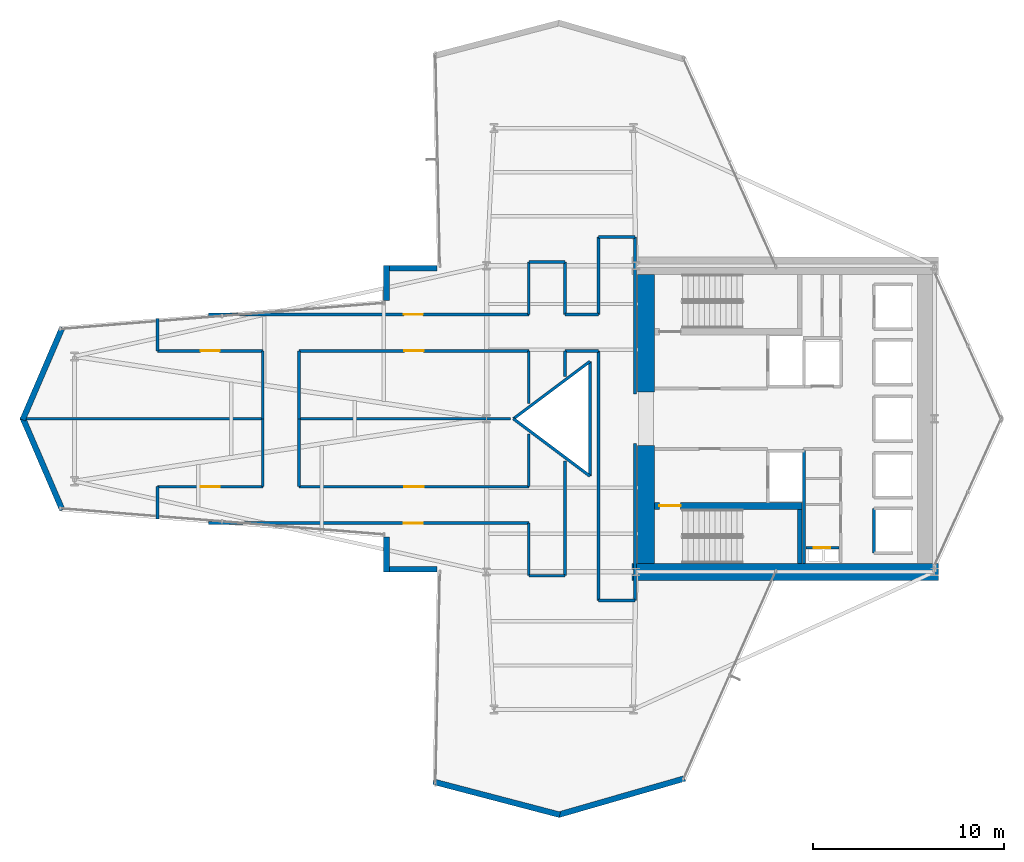
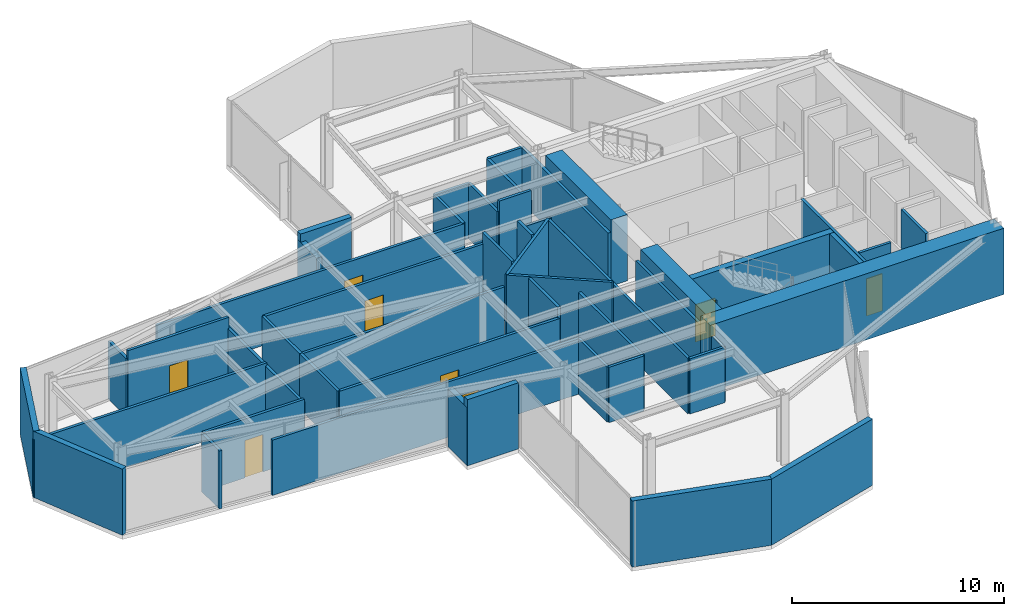
# One storey, part 20 of 23: 50 walls, 8 doors, 8 openings.
"""IFC4 building model written with IfcOpenShell, lengths in metres."""

from ifc_helpers import new_model, si_unit, direction, frame, frame_2d, origin, place, context, subcontext, project, spatial, rectangle, extrude, material, layer, layer_set, type_object, element, fill, save


model = new_model("IFC4")

# Units and contexts
model_context = context("Model", 3, precision=1e-05, world=origin(), true_north=direction((0.0, 1.0)))
body_context = subcontext(model_context, "Body", "Model", "MODEL_VIEW")
ifc_project = project(units=[si_unit("LENGTHUNIT", "METRE"), si_unit("AREAUNIT", "SQUARE_METRE"), si_unit("VOLUMEUNIT", "CUBIC_METRE"), si_unit("PLANEANGLEUNIT", "RADIAN"), si_unit("MASSUNIT", "GRAM", prefix="KILO")], contexts=[model_context])

# Site, building, storey
site_placement = place(None, origin())
site = spatial("IfcSite", under=ifc_project, at=site_placement, CompositionType="ELEMENT")
building_placement = place(site_placement, origin())
building = spatial("IfcBuilding", under=site, at=building_placement, Name="Veymaron Broadcast Tower", CompositionType="ELEMENT")
storey_placement = place(building_placement, frame((0.0, 0.0, 94.5)))
storey = spatial("IfcBuildingStorey", under=building, at=storey_placement, Name="L21", CompositionType="ELEMENT", Elevation=94.5)

# Walls
ifc_material_1 = material(Name="Precast concrete C40/50 with mineral-wool insulation", Category="concrete")
ifc_layer_1 = layer(ifc_material_1, 0.300048828125)
ifc_layer_set_1 = layer_set([ifc_layer_1], Name="Precast concrete C40/50 with mineral-wool insulation")
wall_type_1 = type_object("IfcWallType", Name="WALL-EXT-300", PredefinedType="STANDARD", material=ifc_layer_set_1)
wall_1_placement = place(storey_placement, frame((28.615478515625, 31.860107421875, 0.0), z_axis=(0.0, 0.0, 1.0), x_axis=(-1.0, 0.0, 0.0)))
element("IfcWall", 1, at=wall_1_placement, inside=storey, type_object=wall_type_1, Name="L21 notched corner facade pier 9-1", PredefinedType="STANDARD", context=body_context, shape_type="SweptSolid", body=[
    extrude(rectangle(XDim=2.783447265625, YDim=0.300048828125, at=frame_2d((1.3916015625, 0.0))), origin(), (0.0, 0.0, 1.0), 3.81005859375),
])
wall_2_placement = place(storey_placement, frame((25.971923828125, 32.0, 0.0), z_axis=(0.0, 0.0, 1.0), x_axis=(0.0, -1.0, 0.0)))
element("IfcWall", 2, at=wall_2_placement, inside=storey, type_object=wall_type_1, Name="L21 notched corner facade pier 10-1", PredefinedType="STANDARD", context=body_context, shape_type="SweptSolid", body=[
    extrude(rectangle(XDim=1.81201171875, YDim=0.300048828125, at=frame_2d((0.906005859375, 0.0))), origin(), (0.0, 0.0, 1.0), 3.337890625),
])
for number, where, z_axis, x_axis, name in (
    (3, (9.028564453125, 28.77001953125, 0.0), (0.0, 0.0, 1.0), (-0.395186600656, -0.918600865807, 0.0), "L21 notched corner facade pier 12-1"),
    (4, (6.95263671875, 24.055419921875, 0.0), (0.0, 0.0, 1.0), (0.395186600656, -0.918600865807, 0.0), "L21 notched corner facade pier 13-1"),
):
    element("IfcWall", number, at=place(storey_placement, frame(where, z_axis=z_axis, x_axis=x_axis)), inside=storey, type_object=wall_type_1, Name=name, PredefinedType="STANDARD", context=body_context, shape_type="SweptSolid", body=[
        extrude(rectangle(XDim=5.2529296875, YDim=0.300048828125, at=frame_2d((2.62646484375, 0.0))), origin(), (0.0, 0.0, 1.0), 3.81005859375),
    ])
wall_3_placement = place(storey_placement, frame((25.971923828125, 17.81201171875, 0.0), z_axis=(0.0, 0.0, 1.0), x_axis=(0.0, -1.0, 0.0)))
element("IfcWall", 5, at=wall_3_placement, inside=storey, type_object=wall_type_1, Name="L21 notched corner facade pier 15-1", PredefinedType="STANDARD", context=body_context, shape_type="SweptSolid", body=[
    extrude(rectangle(XDim=1.81201171875, YDim=0.300048828125, at=frame_2d((0.906005859375, 0.0))), origin(), (0.0, 0.0, 1.0), 3.337890625),
])
wall_4_placement = place(storey_placement, frame((25.83203125, 16.139892578125, 0.0), z_axis=(0.0, 0.0, 1.0), x_axis=(1.0, 0.0, 0.0)))
element("IfcWall", 6, at=wall_4_placement, inside=storey, type_object=wall_type_1, Name="L21 notched corner facade pier 16-1", PredefinedType="STANDARD", context=body_context, shape_type="SweptSolid", body=[
    extrude(rectangle(XDim=2.783447265625, YDim=0.300048828125, at=frame_2d((1.3916015625, 0.0))), origin(), (0.0, 0.0, 1.0), 3.81005859375),
])
wall_5_placement = place(storey_placement, frame((28.42138671875, 5.036376953125, 0.0), z_axis=(0.0, 0.0, 1.0), x_axis=(0.967350095479, -0.25344386514, 0.0)))
element("IfcWall", 7, at=wall_5_placement, inside=storey, type_object=wall_type_1, Name="L21 notched corner facade pier 18-1", PredefinedType="STANDARD", context=body_context, shape_type="SweptSolid", body=[
    extrude(rectangle(XDim=6.825927734375, YDim=0.300048828125, at=frame_2d((3.4130859375, 0.0))), origin(), (0.0, 0.0, 1.0), 3.81005859375),
])
wall_6_placement = place(storey_placement, frame((34.9501953125, 3.305419921875, 0.0), z_axis=(0.0, 0.0, 1.0), x_axis=(0.960887246738, 0.27693988347, 0.0)))
element("IfcWall", 8, at=wall_6_placement, inside=storey, type_object=wall_type_1, Name="L21 notched corner facade pier 19-1", PredefinedType="STANDARD", context=body_context, shape_type="SweptSolid", body=[
    extrude(rectangle(XDim=6.871826171875, YDim=0.300048828125, at=frame_2d((3.43603515625, 0.0))), origin(), (0.0, 0.0, 1.0), 3.81005859375),
])
ifc_material_2 = material(Name="Gypsum fireboard and steel stud framing", Category="steel")
ifc_layer_2 = layer(ifc_material_2, 0.14990234375)
ifc_layer_set_2 = layer_set([ifc_layer_2], Name="Gypsum fireboard and steel stud framing")
wall_type_2 = type_object("IfcWallType", Name="WALL-FIRE-150", PredefinedType="PARTITIONING", material=ifc_layer_set_2)
wall_7_placement = place(storey_placement, frame((51.445068359375, 16.989990234375, 0.0), z_axis=(0.0, 0.0, 1.0), x_axis=(0.0, 1.0, 0.0)))
element("IfcWall", 9, at=wall_7_placement, inside=storey, type_object=wall_type_2, Name="L21 partition IW-L21-SHW-PH1", PredefinedType="PARTITIONING", context=body_context, shape_type="SweptSolid", body=[
    extrude(rectangle(XDim=2.320068359375, YDim=0.14990234375, at=frame_2d((1.16015625, 0.0))), origin(), (0.0, 0.0, 1.0), 3.81005859375),
])

# Wall, opening, door
wall_8_placement = place(storey_placement, frame((47.8798828125, 17.260009765625, 0.0), z_axis=(0.0, 0.0, 1.0), x_axis=(1.0, 0.0, 0.0)))
wall_8 = element("IfcWall", 10, at=wall_8_placement, inside=storey, type_object=wall_type_2, Name="L21 partition IW-L21-RIS-N", PredefinedType="PARTITIONING", context=body_context, shape_type="SweptSolid", body=[
    extrude(rectangle(XDim=1.72021484375, YDim=0.14990234375, at=frame_2d((0.860107421875, 0.0))), origin(), (0.0, 0.0, 1.0), 3.81005859375),
])
opening_1_placement = place(wall_8_placement, frame((0.419921875, 0.0, 0.0)))
opening_1 = element("IfcOpeningElement", 11, at=opening_1_placement, cuts=wall_8, Name="Opening ID-RS1", PredefinedType="OPENING", context=body_context, shape_type="SweptSolid", body=[
    extrude(rectangle(XDim=0.85009765625, YDim=2.14990234375, at=frame_2d((0.425048828125, 1.074951171875))), frame((0.0, 0.0849609375, 0.0), z_axis=(0.0, -1.0, 0.0), x_axis=(1.0, 0.0, 0.0)), (0.0, 0.0, 1.0), 0.169921875),
])
ifc_material_3 = material(Name="Fire-rated powder-coated steel riser leaf", Category="steel")
door_type_1 = type_object("IfcDoorType", Name="DOOR-RIS-850", OperationType="NOTDEFINED", PredefinedType="TRAPDOOR", material=ifc_material_3)
door_1_placement = place(opening_1_placement, origin())
door_1 = element("IfcDoor", 12, at=door_1_placement, inside=storey, type_object=door_type_1, Name="L21 door DR-L21-RIS", OperationType="SINGLE_SWING_LEFT", OverallHeight=2.14990234375, OverallWidth=0.85009765625, PredefinedType="TRAPDOOR", context=body_context, shape_type="SweptSolid", body=[
    extrude(rectangle(XDim=0.85009765625, YDim=2.14990234375, at=frame_2d((0.425048828125, 1.074951171875))), frame((0.0, 0.02490234375, 0.0), z_axis=(0.0, -1.0, 0.0), x_axis=(1.0, 0.0, 0.0)), (0.0, 0.0, 1.0), 0.050048828125),
])
fill(opening_1, door_1)

# Wall
wall_9_placement = place(storey_placement, frame((47.780029296875, 16.449951171875, 0.0), z_axis=(0.0, 0.0, 1.0), x_axis=(0.0, 1.0, 0.0)))
element("IfcWall", 13, at=wall_9_placement, inside=storey, type_object=wall_type_2, Name="L21 partition IW-L21-SM-W", PredefinedType="PARTITIONING", context=body_context, shape_type="SweptSolid", body=[
    extrude(rectangle(XDim=5.97509765625, YDim=0.14990234375, at=frame_2d((2.987548828125, 0.0))), origin(), (0.0, 0.0, 1.0), 3.81005859375),
])

# Wall, opening, door
wall_10_placement = place(storey_placement, frame((16.66162109375, 18.550048828125, 0.0), z_axis=(0.0, 0.0, 1.0), x_axis=(1.0, 0.0, 0.0)))
wall_10 = element("IfcWall", 14, at=wall_10_placement, inside=storey, type_object=wall_type_2, Name="L21 partition IW-L21-P01", PredefinedType="PARTITIONING", context=body_context, shape_type="SweptSolid", body=[
    extrude(rectangle(XDim=16.73828125, YDim=0.14990234375, at=frame_2d((8.369140625, 0.0))), origin(), (0.0, 0.0, 1.0), 3.180908203125),
])
opening_2_placement = place(wall_10_placement, frame((10.209228515625, 0.0, 0.0)))
opening_2 = element("IfcOpeningElement", 15, at=opening_2_placement, cuts=wall_10, Name="Opening ID-RM3", PredefinedType="OPENING", context=body_context, shape_type="SweptSolid", body=[
    extrude(rectangle(XDim=1.0, YDim=2.14990234375, at=frame_2d((0.5, 1.074951171875))), frame((0.0, 0.0849609375, 0.0), z_axis=(0.0, -1.0, 0.0), x_axis=(1.0, 0.0, 0.0)), (0.0, 0.0, 1.0), 0.169921875),
])
ifc_material_4 = material(Name="Acoustic solid-core European oak veneer timber", Category="wood")
door_type_2 = type_object("IfcDoorType", Name="DOOR-INT-1000", OperationType="NOTDEFINED", PredefinedType="DOOR", material=ifc_material_4)
door_2_placement = place(opening_2_placement, frame((1.0, 0.0, 0.0), z_axis=(0.0, 0.0, 1.0), x_axis=(-1.0, 0.0, 0.0)))
door_2 = element("IfcDoor", 16, at=door_2_placement, inside=storey, type_object=door_type_2, Name="L21 door DR-L21-P01", OperationType="SINGLE_SWING_RIGHT", OverallHeight=2.14990234375, OverallWidth=1.0, PredefinedType="DOOR", context=body_context, shape_type="SweptSolid", body=[
    extrude(rectangle(XDim=1.0, YDim=2.14990234375, at=frame_2d((0.5, 1.074951171875))), frame((0.0, 0.02490234375, 0.0), z_axis=(0.0, -1.0, 0.0), x_axis=(1.0, 0.0, 0.0)), (0.0, 0.0, 1.0), 0.050048828125),
])
fill(opening_2, door_2)

wall_11_placement = place(storey_placement, frame((14.0, 20.449951171875, 0.0), z_axis=(0.0, 0.0, 1.0), x_axis=(1.0, 0.0, 0.0)))
wall_11 = element("IfcWall", 17, at=wall_11_placement, inside=storey, type_object=wall_type_2, Name="L21 partition IW-L21-P10", PredefinedType="PARTITIONING", context=body_context, shape_type="SweptSolid", body=[
    extrude(rectangle(XDim=5.5, YDim=0.14990234375, at=frame_2d((2.75, 0.0))), origin(), (0.0, 0.0, 1.0), 3.39111328125),
])
opening_3_placement = place(wall_11_placement, frame((2.25, 0.0, 0.0)))
opening_3 = element("IfcOpeningElement", 18, at=opening_3_placement, cuts=wall_11, Name="Opening ID-RM3", PredefinedType="OPENING", context=body_context, shape_type="SweptSolid", body=[
    extrude(rectangle(XDim=1.0, YDim=2.14990234375, at=frame_2d((0.5, 1.074951171875))), frame((0.0, 0.0849609375, 0.0), z_axis=(0.0, -1.0, 0.0), x_axis=(1.0, 0.0, 0.0)), (0.0, 0.0, 1.0), 0.169921875),
])
door_3_placement = place(opening_3_placement, origin())
door_3 = element("IfcDoor", 19, at=door_3_placement, inside=storey, type_object=door_type_2, Name="L21 door DR-L21-P10", OperationType="SINGLE_SWING_LEFT", OverallHeight=2.14990234375, OverallWidth=1.0, PredefinedType="DOOR", context=body_context, shape_type="SweptSolid", body=[
    extrude(rectangle(XDim=1.0, YDim=2.14990234375, at=frame_2d((0.5, 1.074951171875))), frame((0.0, 0.02490234375, 0.0), z_axis=(0.0, -1.0, 0.0), x_axis=(1.0, 0.0, 0.0)), (0.0, 0.0, 1.0), 0.050048828125),
])
fill(opening_3, door_3)

wall_12_placement = place(storey_placement, frame((21.39990234375, 20.449951171875, 0.0), z_axis=(0.0, 0.0, 1.0), x_axis=(1.0, 0.0, 0.0)))
wall_12 = element("IfcWall", 20, at=wall_12_placement, inside=storey, type_object=wall_type_2, Name="L21 partition IW-L21-P13", PredefinedType="PARTITIONING", context=body_context, shape_type="SweptSolid", body=[
    extrude(rectangle(XDim=12.0, YDim=0.14990234375, at=frame_2d((6.0, 0.0))), origin(), (0.0, 0.0, 1.0), 3.180908203125),
])
opening_4_placement = place(wall_12_placement, frame((5.5, 0.0, 0.0)))
opening_4 = element("IfcOpeningElement", 21, at=opening_4_placement, cuts=wall_12, Name="Opening ID-RM3", PredefinedType="OPENING", context=body_context, shape_type="SweptSolid", body=[
    extrude(rectangle(XDim=1.0, YDim=2.14990234375, at=frame_2d((0.5, 1.074951171875))), frame((0.0, 0.0849609375, 0.0), z_axis=(0.0, -1.0, 0.0), x_axis=(1.0, 0.0, 0.0)), (0.0, 0.0, 1.0), 0.169921875),
])
door_4_placement = place(opening_4_placement, origin())
door_4 = element("IfcDoor", 22, at=door_4_placement, inside=storey, type_object=door_type_2, Name="L21 door DR-L21-P13", OperationType="SINGLE_SWING_RIGHT", OverallHeight=2.14990234375, OverallWidth=1.0, PredefinedType="DOOR", context=body_context, shape_type="SweptSolid", body=[
    extrude(rectangle(XDim=1.0, YDim=2.14990234375, at=frame_2d((0.5, 1.074951171875))), frame((0.0, 0.02490234375, 0.0), z_axis=(0.0, -1.0, 0.0), x_axis=(1.0, 0.0, 0.0)), (0.0, 0.0, 1.0), 0.050048828125),
])
fill(opening_4, door_4)

wall_13_placement = place(storey_placement, frame((21.39990234375, 27.550048828125, 0.0), z_axis=(0.0, 0.0, 1.0), x_axis=(1.0, 0.0, 0.0)))
wall_13 = element("IfcWall", 23, at=wall_13_placement, inside=storey, type_object=wall_type_2, Name="L21 partition IW-L21-P16", PredefinedType="PARTITIONING", context=body_context, shape_type="SweptSolid", body=[
    extrude(rectangle(XDim=12.0, YDim=0.14990234375, at=frame_2d((6.0, 0.0))), origin(), (0.0, 0.0, 1.0), 3.180908203125),
])
opening_5_placement = place(wall_13_placement, frame((5.5, 0.0, 0.0)))
opening_5 = element("IfcOpeningElement", 24, at=opening_5_placement, cuts=wall_13, Name="Opening ID-RM3", PredefinedType="OPENING", context=body_context, shape_type="SweptSolid", body=[
    extrude(rectangle(XDim=1.0, YDim=2.14990234375, at=frame_2d((0.5, 1.074951171875))), frame((0.0, 0.0849609375, 0.0), z_axis=(0.0, -1.0, 0.0), x_axis=(1.0, 0.0, 0.0)), (0.0, 0.0, 1.0), 0.169921875),
])
door_5_placement = place(opening_5_placement, frame((1.0, 0.0, 0.0), z_axis=(0.0, 0.0, 1.0), x_axis=(-1.0, 0.0, 0.0)))
door_5 = element("IfcDoor", 25, at=door_5_placement, inside=storey, type_object=door_type_2, Name="L21 door DR-L21-P16", OperationType="SINGLE_SWING_LEFT", OverallHeight=2.14990234375, OverallWidth=1.0, PredefinedType="DOOR", context=body_context, shape_type="SweptSolid", body=[
    extrude(rectangle(XDim=1.0, YDim=2.14990234375, at=frame_2d((0.5, 1.074951171875))), frame((0.0, 0.02490234375, 0.0), z_axis=(0.0, -1.0, 0.0), x_axis=(1.0, 0.0, 0.0)), (0.0, 0.0, 1.0), 0.050048828125),
])
fill(opening_5, door_5)

wall_14_placement = place(storey_placement, frame((14.0, 27.550048828125, 0.0), z_axis=(0.0, 0.0, 1.0), x_axis=(1.0, 0.0, 0.0)))
wall_14 = element("IfcWall", 26, at=wall_14_placement, inside=storey, type_object=wall_type_2, Name="L21 partition IW-L21-P19", PredefinedType="PARTITIONING", context=body_context, shape_type="SweptSolid", body=[
    extrude(rectangle(XDim=5.5, YDim=0.14990234375, at=frame_2d((2.75, 0.0))), origin(), (0.0, 0.0, 1.0), 3.81005859375),
])
opening_6_placement = place(wall_14_placement, frame((2.25, 0.0, 0.0)))
opening_6 = element("IfcOpeningElement", 27, at=opening_6_placement, cuts=wall_14, Name="Opening ID-RM3", PredefinedType="OPENING", context=body_context, shape_type="SweptSolid", body=[
    extrude(rectangle(XDim=1.0, YDim=2.14990234375, at=frame_2d((0.5, 1.074951171875))), frame((0.0, 0.0849609375, 0.0), z_axis=(0.0, -1.0, 0.0), x_axis=(1.0, 0.0, 0.0)), (0.0, 0.0, 1.0), 0.169921875),
])
door_6_placement = place(opening_6_placement, frame((1.0, 0.0, 0.0), z_axis=(0.0, 0.0, 1.0), x_axis=(-1.0, 0.0, 0.0)))
door_6 = element("IfcDoor", 28, at=door_6_placement, inside=storey, type_object=door_type_2, Name="L21 door DR-L21-P19", OperationType="SINGLE_SWING_RIGHT", OverallHeight=2.14990234375, OverallWidth=1.0, PredefinedType="DOOR", context=body_context, shape_type="SweptSolid", body=[
    extrude(rectangle(XDim=1.0, YDim=2.14990234375, at=frame_2d((0.5, 1.074951171875))), frame((0.0, 0.02490234375, 0.0), z_axis=(0.0, -1.0, 0.0), x_axis=(1.0, 0.0, 0.0)), (0.0, 0.0, 1.0), 0.050048828125),
])
fill(opening_6, door_6)

wall_15_placement = place(storey_placement, frame((16.66162109375, 29.449951171875, 0.0), z_axis=(0.0, 0.0, 1.0), x_axis=(1.0, 0.0, 0.0)))
wall_15 = element("IfcWall", 29, at=wall_15_placement, inside=storey, type_object=wall_type_2, Name="L21 partition IW-L21-P22", PredefinedType="PARTITIONING", context=body_context, shape_type="SweptSolid", body=[
    extrude(rectangle(XDim=16.73828125, YDim=0.14990234375, at=frame_2d((8.369140625, 0.0))), origin(), (0.0, 0.0, 1.0), 3.180908203125),
])
opening_7_placement = place(wall_15_placement, frame((10.209228515625, 0.0, 0.0)))
opening_7 = element("IfcOpeningElement", 30, at=opening_7_placement, cuts=wall_15, Name="Opening ID-RM3", PredefinedType="OPENING", context=body_context, shape_type="SweptSolid", body=[
    extrude(rectangle(XDim=1.0, YDim=2.14990234375, at=frame_2d((0.5, 1.074951171875))), frame((0.0, 0.0849609375, 0.0), z_axis=(0.0, -1.0, 0.0), x_axis=(1.0, 0.0, 0.0)), (0.0, 0.0, 1.0), 0.169921875),
])
door_7_placement = place(opening_7_placement, origin())
door_7 = element("IfcDoor", 31, at=door_7_placement, inside=storey, type_object=door_type_2, Name="L21 door DR-L21-P22", OperationType="SINGLE_SWING_LEFT", OverallHeight=2.14990234375, OverallWidth=1.0, PredefinedType="DOOR", context=body_context, shape_type="SweptSolid", body=[
    extrude(rectangle(XDim=1.0, YDim=2.14990234375, at=frame_2d((0.5, 1.074951171875))), frame((0.0, 0.02490234375, 0.0), z_axis=(0.0, -1.0, 0.0), x_axis=(1.0, 0.0, 0.0)), (0.0, 0.0, 1.0), 0.050048828125),
])
fill(opening_7, door_7)

# Walls
wall_16_placement = place(storey_placement, frame((37.050048828125, 14.5, 0.0), z_axis=(0.0, 0.0, 1.0), x_axis=(0.0, 1.0, 0.0)))
element("IfcWall", 32, at=wall_16_placement, inside=storey, type_object=wall_type_2, Name="L21 partition IW-L21-P02", PredefinedType="PARTITIONING", context=body_context, shape_type="SweptSolid", body=[
    extrude(rectangle(XDim=13.050048828125, YDim=0.14990234375, at=frame_2d((6.52490234375, 0.0))), origin(), (0.0, 0.0, 1.0), 3.180908203125),
])
wall_17_placement = place(storey_placement, frame((38.949951171875, 14.5, 0.0), z_axis=(0.0, 0.0, 1.0), x_axis=(0.0, 1.0, 0.0)))
element("IfcWall", 33, at=wall_17_placement, inside=storey, type_object=wall_type_2, Name="L21 partition IW-L21-P03", PredefinedType="PARTITIONING", context=body_context, shape_type="SweptSolid", body=[
    extrude(rectangle(XDim=8.199951171875, YDim=0.14990234375, at=frame_2d((4.10009765625, 0.0))), origin(), (0.0, 0.0, 1.0), 3.180908203125),
])
wall_18_placement = place(storey_placement, frame((35.300048828125, 15.800048828125, 0.0), z_axis=(0.0, 0.0, 1.0), x_axis=(0.0, 1.0, 0.0)))
element("IfcWall", 34, at=wall_18_placement, inside=storey, type_object=wall_type_2, Name="L21 partition IW-L21-P04", PredefinedType="PARTITIONING", context=body_context, shape_type="SweptSolid", body=[
    extrude(rectangle(XDim=5.987548828125, YDim=0.14990234375, at=frame_2d((2.99365234375, 0.0))), origin(), (0.0, 0.0, 1.0), 3.180908203125),
])
wall_19_placement = place(storey_placement, frame((33.39990234375, 15.800048828125, 0.0), z_axis=(0.0, 0.0, 1.0), x_axis=(0.0, 1.0, 0.0)))
element("IfcWall", 35, at=wall_19_placement, inside=storey, type_object=wall_type_2, Name="L21 partition IW-L21-P05", PredefinedType="PARTITIONING", context=body_context, shape_type="SweptSolid", body=[
    extrude(rectangle(XDim=2.75, YDim=0.14990234375, at=frame_2d((1.375, 0.0))), origin(), (0.0, 0.0, 1.0), 3.180908203125),
])
wall_20_placement = place(storey_placement, frame((37.050048828125, 14.5, 0.0), z_axis=(0.0, 0.0, 1.0), x_axis=(1.0, 0.0, 0.0)))
element("IfcWall", 36, at=wall_20_placement, inside=storey, type_object=wall_type_2, Name="L21 partition IW-L21-P06", PredefinedType="PARTITIONING", context=body_context, shape_type="SweptSolid", body=[
    extrude(rectangle(XDim=1.89990234375, YDim=0.14990234375, at=frame_2d((0.949951171875, 0.0))), origin(), (0.0, 0.0, 1.0), 3.180908203125),
])
wall_21_placement = place(storey_placement, frame((33.39990234375, 15.800048828125, 0.0), z_axis=(0.0, 0.0, 1.0), x_axis=(1.0, 0.0, 0.0)))
element("IfcWall", 37, at=wall_21_placement, inside=storey, type_object=wall_type_2, Name="L21 partition IW-L21-P07", PredefinedType="PARTITIONING", context=body_context, shape_type="SweptSolid", body=[
    extrude(rectangle(XDim=1.900146484375, YDim=0.14990234375, at=frame_2d((0.9501953125, 0.0))), origin(), (0.0, 0.0, 1.0), 3.180908203125),
])
wall_22_placement = place(storey_placement, frame((35.300048828125, 27.550048828125, 0.0), z_axis=(0.0, 0.0, 1.0), x_axis=(1.0, 0.0, 0.0)))
element("IfcWall", 38, at=wall_22_placement, inside=storey, type_object=wall_type_2, Name="L21 partition IW-L21-P08", PredefinedType="PARTITIONING", context=body_context, shape_type="SweptSolid", body=[
    extrude(rectangle(XDim=1.75, YDim=0.14990234375, at=frame_2d((0.875, 0.0))), origin(), (0.0, 0.0, 1.0), 3.39111328125),
])
wall_23_placement = place(storey_placement, frame((35.300048828125, 26.21240234375, 0.0), z_axis=(0.0, 0.0, 1.0), x_axis=(0.0, 1.0, 0.0)))
element("IfcWall", 39, at=wall_23_placement, inside=storey, type_object=wall_type_2, Name="L21 partition IW-L21-P09", PredefinedType="PARTITIONING", context=body_context, shape_type="SweptSolid", body=[
    extrude(rectangle(XDim=1.337646484375, YDim=0.14990234375, at=frame_2d((0.6689453125, 0.0))), origin(), (0.0, 0.0, 1.0), 3.81005859375),
])
wall_24_placement = place(storey_placement, frame((19.5, 20.449951171875, 0.0), z_axis=(0.0, 0.0, 1.0), x_axis=(0.0, 1.0, 0.0)))
element("IfcWall", 40, at=wall_24_placement, inside=storey, type_object=wall_type_2, Name="L21 partition IW-L21-P11", PredefinedType="PARTITIONING", context=body_context, shape_type="SweptSolid", body=[
    extrude(rectangle(XDim=3.550048828125, YDim=0.14990234375, at=frame_2d((1.77490234375, 0.0))), origin(), (0.0, 0.0, 1.0), 3.180908203125),
])
wall_25_placement = place(storey_placement, frame((14.0, 18.76416015625, 0.0), z_axis=(0.0, 0.0, 1.0), x_axis=(0.0, 1.0, 0.0)))
element("IfcWall", 41, at=wall_25_placement, inside=storey, type_object=wall_type_2, Name="L21 partition IW-L21-P12", PredefinedType="PARTITIONING", context=body_context, shape_type="SweptSolid", body=[
    extrude(rectangle(XDim=1.685791015625, YDim=0.14990234375, at=frame_2d((0.8427734375, 0.0))), origin(), (0.0, 0.0, 1.0), 3.337890625),
])
wall_26_placement = place(storey_placement, frame((21.39990234375, 20.449951171875, 0.0), z_axis=(0.0, 0.0, 1.0), x_axis=(0.0, 1.0, 0.0)))
element("IfcWall", 42, at=wall_26_placement, inside=storey, type_object=wall_type_2, Name="L21 partition IW-L21-P14", PredefinedType="PARTITIONING", context=body_context, shape_type="SweptSolid", body=[
    extrude(rectangle(XDim=3.550048828125, YDim=0.14990234375, at=frame_2d((1.77490234375, 0.0))), origin(), (0.0, 0.0, 1.0), 3.180908203125),
])
wall_27_placement = place(storey_placement, frame((33.39990234375, 20.449951171875, 0.0), z_axis=(0.0, 0.0, 1.0), x_axis=(0.0, 1.0, 0.0)))
element("IfcWall", 43, at=wall_27_placement, inside=storey, type_object=wall_type_2, Name="L21 partition IW-L21-P15", PredefinedType="PARTITIONING", context=body_context, shape_type="SweptSolid", body=[
    extrude(rectangle(XDim=2.762451171875, YDim=0.14990234375, at=frame_2d((1.38134765625, 0.0))), origin(), (0.0, 0.0, 1.0), 3.81005859375),
])
wall_28_placement = place(storey_placement, frame((21.39990234375, 24.0, 0.0), z_axis=(0.0, 0.0, 1.0), x_axis=(0.0, 1.0, 0.0)))
element("IfcWall", 44, at=wall_28_placement, inside=storey, type_object=wall_type_2, Name="L21 partition IW-L21-P17", PredefinedType="PARTITIONING", context=body_context, shape_type="SweptSolid", body=[
    extrude(rectangle(XDim=3.550048828125, YDim=0.14990234375, at=frame_2d((1.77490234375, 0.0))), origin(), (0.0, 0.0, 1.0), 3.180908203125),
])
wall_29_placement = place(storey_placement, frame((33.39990234375, 24.78759765625, 0.0), z_axis=(0.0, 0.0, 1.0), x_axis=(0.0, 1.0, 0.0)))
element("IfcWall", 45, at=wall_29_placement, inside=storey, type_object=wall_type_2, Name="L21 partition IW-L21-P18", PredefinedType="PARTITIONING", context=body_context, shape_type="SweptSolid", body=[
    extrude(rectangle(XDim=2.762451171875, YDim=0.14990234375, at=frame_2d((1.38134765625, 0.0))), origin(), (0.0, 0.0, 1.0), 3.81005859375),
])
wall_30_placement = place(storey_placement, frame((19.5, 24.0, 0.0), z_axis=(0.0, 0.0, 1.0), x_axis=(0.0, 1.0, 0.0)))
element("IfcWall", 46, at=wall_30_placement, inside=storey, type_object=wall_type_2, Name="L21 partition IW-L21-P20", PredefinedType="PARTITIONING", context=body_context, shape_type="SweptSolid", body=[
    extrude(rectangle(XDim=3.550048828125, YDim=0.14990234375, at=frame_2d((1.77490234375, 0.0))), origin(), (0.0, 0.0, 1.0), 3.180908203125),
])
wall_31_placement = place(storey_placement, frame((14.0, 27.550048828125, 0.0), z_axis=(0.0, 0.0, 1.0), x_axis=(0.0, 1.0, 0.0)))
element("IfcWall", 47, at=wall_31_placement, inside=storey, type_object=wall_type_2, Name="L21 partition IW-L21-P21", PredefinedType="PARTITIONING", context=body_context, shape_type="SweptSolid", body=[
    extrude(rectangle(XDim=1.685791015625, YDim=0.14990234375, at=frame_2d((0.8427734375, 0.0))), origin(), (0.0, 0.0, 1.0), 3.337890625),
])
wall_32_placement = place(storey_placement, frame((38.949951171875, 25.300048828125, 0.0), z_axis=(0.0, 0.0, 1.0), x_axis=(0.0, 1.0, 0.0)))
element("IfcWall", 48, at=wall_32_placement, inside=storey, type_object=wall_type_2, Name="L21 partition IW-L21-P23", PredefinedType="PARTITIONING", context=body_context, shape_type="SweptSolid", body=[
    extrude(rectangle(XDim=8.199951171875, YDim=0.14990234375, at=frame_2d((4.10009765625, 0.0))), origin(), (0.0, 0.0, 1.0), 3.180908203125),
])
wall_33_placement = place(storey_placement, frame((37.050048828125, 29.449951171875, 0.0), z_axis=(0.0, 0.0, 1.0), x_axis=(0.0, 1.0, 0.0)))
element("IfcWall", 49, at=wall_33_placement, inside=storey, type_object=wall_type_2, Name="L21 partition IW-L21-P24", PredefinedType="PARTITIONING", context=body_context, shape_type="SweptSolid", body=[
    extrude(rectangle(XDim=4.050048828125, YDim=0.14990234375, at=frame_2d((2.02490234375, 0.0))), origin(), (0.0, 0.0, 1.0), 3.180908203125),
])
for number, where, z_axis, x_axis, name in (
    (50, (33.39990234375, 29.449951171875, 0.0), (0.0, 0.0, 1.0), (0.0, 1.0, 0.0), "L21 partition IW-L21-P25"),
    (51, (35.300048828125, 29.449951171875, 0.0), (0.0, 0.0, 1.0), (0.0, 1.0, 0.0), "L21 partition IW-L21-P26"),
):
    element("IfcWall", number, at=place(storey_placement, frame(where, z_axis=z_axis, x_axis=x_axis)), inside=storey, type_object=wall_type_2, Name=name, PredefinedType="PARTITIONING", context=body_context, shape_type="SweptSolid", body=[
        extrude(rectangle(XDim=2.75, YDim=0.14990234375, at=frame_2d((1.375, 0.0))), origin(), (0.0, 0.0, 1.0), 3.180908203125),
    ])
wall_34_placement = place(storey_placement, frame((37.050048828125, 33.5, 0.0), z_axis=(0.0, 0.0, 1.0), x_axis=(1.0, 0.0, 0.0)))
element("IfcWall", 52, at=wall_34_placement, inside=storey, type_object=wall_type_2, Name="L21 partition IW-L21-P27", PredefinedType="PARTITIONING", context=body_context, shape_type="SweptSolid", body=[
    extrude(rectangle(XDim=1.89990234375, YDim=0.14990234375, at=frame_2d((0.949951171875, 0.0))), origin(), (0.0, 0.0, 1.0), 3.180908203125),
])
wall_35_placement = place(storey_placement, frame((33.39990234375, 32.199951171875, 0.0), z_axis=(0.0, 0.0, 1.0), x_axis=(1.0, 0.0, 0.0)))
element("IfcWall", 53, at=wall_35_placement, inside=storey, type_object=wall_type_2, Name="L21 partition IW-L21-P28", PredefinedType="PARTITIONING", context=body_context, shape_type="SweptSolid", body=[
    extrude(rectangle(XDim=1.900146484375, YDim=0.14990234375, at=frame_2d((0.9501953125, 0.0))), origin(), (0.0, 0.0, 1.0), 3.180908203125),
])
wall_36_placement = place(storey_placement, frame((35.300048828125, 29.449951171875, 0.0), z_axis=(0.0, 0.0, 1.0), x_axis=(1.0, 0.0, 0.0)))
element("IfcWall", 54, at=wall_36_placement, inside=storey, type_object=wall_type_2, Name="L21 partition IW-L21-P29", PredefinedType="PARTITIONING", context=body_context, shape_type="SweptSolid", body=[
    extrude(rectangle(XDim=1.75, YDim=0.14990234375, at=frame_2d((0.875, 0.0))), origin(), (0.0, 0.0, 1.0), 3.81005859375),
])
ifc_material_5 = material(Name="Fire-rated laminated glass in aluminium frame", Category="aluminium")
ifc_layer_3 = layer(ifc_material_5, 0.14990234375)
ifc_layer_set_3 = layer_set([ifc_layer_3], Name="Fire-rated laminated glass in aluminium frame")
wall_type_3 = type_object("IfcWallType", Name="WALL-GLZ-150", PredefinedType="MOVABLE", material=ifc_layer_set_3)
wall_37_placement = place(storey_placement, frame((6.823974609375, 24.0, 0.0), z_axis=(0.0, 0.0, 1.0), x_axis=(1.0, 0.0, 0.0)))
element("IfcWall", 55, at=wall_37_placement, inside=storey, type_object=wall_type_3, Name="L21 partition IW-L21-P30", PredefinedType="MOVABLE", context=body_context, shape_type="SweptSolid", body=[
    extrude(rectangle(XDim=12.676025390625, YDim=0.14990234375, at=frame_2d((6.337890625, 0.0))), origin(), (0.0, 0.0, 1.0), 3.337890625),
])
wall_38_placement = place(storey_placement, frame((21.39990234375, 24.0, 0.0), z_axis=(0.0, 0.0, 1.0), x_axis=(1.0, 0.0, 0.0)))
element("IfcWall", 56, at=wall_38_placement, inside=storey, type_object=wall_type_3, Name="L21 partition IW-L21-P31", PredefinedType="MOVABLE", context=body_context, shape_type="SweptSolid", body=[
    extrude(rectangle(XDim=11.05029296875, YDim=0.14990234375, at=frame_2d((5.525146484375, 0.0))), origin(), (0.0, 0.0, 1.0), 3.180908203125),
])
wall_39_placement = place(storey_placement, frame((32.60009765625, 24.0, 0.0), z_axis=(0.0, 0.0, 1.0), x_axis=(0.8, -0.6, 0.0)))
element("IfcWall", 57, at=wall_39_placement, inside=storey, type_object=wall_type_3, Name="L21 partition IW-L21-ATR1", PredefinedType="MOVABLE", context=body_context, shape_type="SweptSolid", body=[
    extrude(rectangle(XDim=5.0, YDim=0.14990234375, at=frame_2d((2.5, 0.0))), origin(), (0.0, 0.0, 1.0), 3.81005859375),
])
wall_40_placement = place(storey_placement, frame((36.60009765625, 21.0, 0.0), z_axis=(0.0, 0.0, 1.0), x_axis=(0.0, 1.0, 0.0)))
element("IfcWall", 58, at=wall_40_placement, inside=storey, type_object=wall_type_3, Name="L21 partition IW-L21-ATR2", PredefinedType="MOVABLE", context=body_context, shape_type="SweptSolid", body=[
    extrude(rectangle(XDim=6.0, YDim=0.14990234375, at=frame_2d((3.0, 0.0))), origin(), (0.0, 0.0, 1.0), 3.81005859375),
])
wall_41_placement = place(storey_placement, frame((36.60009765625, 27.0, 0.0), z_axis=(0.0, 0.0, 1.0), x_axis=(-0.8, -0.6, 0.0)))
element("IfcWall", 59, at=wall_41_placement, inside=storey, type_object=wall_type_3, Name="L21 partition IW-L21-ATR3", PredefinedType="MOVABLE", context=body_context, shape_type="SweptSolid", body=[
    extrude(rectangle(XDim=5.0, YDim=0.14990234375, at=frame_2d((2.5, 0.0))), origin(), (0.0, 0.0, 1.0), 3.81005859375),
])
ifc_material_6 = material(Name="Concrete C50/60", Category="concrete")
ifc_layer_4 = layer(ifc_material_6, 0.25)
ifc_layer_set_4 = layer_set([ifc_layer_4], Name="Concrete C50/60")
wall_type_4 = type_object("IfcWallType", Name="WALL-SHEAR-250", PredefinedType="SHEAR", material=ifc_layer_set_4)
wall_42_placement = place(storey_placement, frame((47.56494140625, 16.449951171875, 0.0), z_axis=(0.0, 0.0, 1.0), x_axis=(0.0, 1.0, 0.0)))
element("IfcWall", 60, at=wall_42_placement, inside=storey, type_object=wall_type_4, Name="L21 Core Wall south stair east shear", PredefinedType="SHEAR", context=body_context, shape_type="SweptSolid", body=[
    extrude(rectangle(XDim=2.820068359375, YDim=0.25, at=frame_2d((1.41015625, 0.0))), origin(), (0.0, 0.0, 1.0), 3.81005859375),
])

# Wall, opening, door
ifc_layer_5 = layer(ifc_material_6, 0.35009765625)
ifc_layer_set_5 = layer_set([ifc_layer_5], Name="Concrete C50/60")
wall_type_5 = type_object("IfcWallType", Name="WALL-SHEAR-350", PredefinedType="SHEAR", material=ifc_layer_set_5)
wall_43_placement = place(storey_placement, frame((39.97998046875, 19.445068359375, 0.0), z_axis=(0.0, 0.0, 1.0), x_axis=(1.0, 0.0, 0.0)))
wall_43 = element("IfcWall", 61, at=wall_43_placement, inside=storey, type_object=wall_type_5, Name="L21 Core Wall south stair spine", PredefinedType="SHEAR", context=body_context, shape_type="SweptSolid", body=[
    extrude(rectangle(XDim=7.7099609375, YDim=0.35009765625, at=frame_2d((3.85498046875, 0.0))), origin(), (0.0, 0.0, 1.0), 3.81005859375),
])
opening_8_placement = place(wall_43_placement, frame((0.25, 0.0, 0.0)))
opening_8 = element("IfcOpeningElement", 62, at=opening_8_placement, cuts=wall_43, Name="Opening ID-ST1", PredefinedType="OPENING", context=body_context, shape_type="SweptSolid", body=[
    extrude(rectangle(XDim=1.10009765625, YDim=2.14990234375, at=frame_2d((0.550048828125, 1.074951171875))), frame((0.0, 0.18505859375, 0.0), z_axis=(0.0, -1.0, 0.0), x_axis=(1.0, 0.0, 0.0)), (0.0, 0.0, 1.0), 0.3701171875),
])
ifc_material_7 = material(Name="Fire-rated painted hollow steel ASTM A653", Category="steel")
door_type_3 = type_object("IfcDoorType", Name="DOOR-STAIR-1100", OperationType="NOTDEFINED", PredefinedType="DOOR", material=ifc_material_7)
door_8_placement = place(opening_8_placement, frame((1.10009765625, 0.0, 0.0), z_axis=(0.0, 0.0, 1.0), x_axis=(-1.0, 0.0, 0.0)))
door_8 = element("IfcDoor", 63, at=door_8_placement, inside=storey, type_object=door_type_3, Name="L21 exit stair ST2 fire door", OperationType="SINGLE_SWING_LEFT", OverallHeight=2.14990234375, OverallWidth=1.10009765625, PredefinedType="DOOR", context=body_context, shape_type="SweptSolid", body=[
    extrude(rectangle(XDim=1.10009765625, YDim=2.14990234375, at=frame_2d((0.550048828125, 1.074951171875))), frame((0.0, 0.02490234375, 0.0), z_axis=(0.0, -1.0, 0.0), x_axis=(1.0, 0.0, 0.0)), (0.0, 0.0, 1.0), 0.050048828125),
])
fill(opening_8, door_8)

# Walls
ifc_material_8 = material(Name="Concrete C70/85", Category="concrete")
ifc_layer_6 = layer(ifc_material_8, 0.89990234375)
ifc_layer_set_6 = layer_set([ifc_layer_6], Name="Concrete C70/85")
wall_type_6 = type_object("IfcWallType", Name="WALL-SHEAR-900", PredefinedType="SHEAR", material=ifc_layer_set_6)
wall_44_placement = place(storey_placement, frame((38.800048828125, 16.0, 0.0), z_axis=(0.0, 0.0, 1.0), x_axis=(1.0, 0.0, 0.0)))
element("IfcWall", 64, at=wall_44_placement, inside=storey, type_object=wall_type_6, Name="L21 Core Wall south shear", PredefinedType="SHEAR", context=body_context, shape_type="SweptSolid", body=[
    extrude(rectangle(XDim=16.0, YDim=0.89990234375, at=frame_2d((8.0, 0.0))), origin(), (0.0, 0.0, 1.0), 3.81005859375),
])
for number, where, z_axis, x_axis, name in (
    (65, (39.530029296875, 16.449951171875, 0.0), (0.0, 0.0, 1.0), (0.0, 1.0, 0.0), "L21 Core Wall west-south shear"),
    (66, (39.530029296875, 25.39990234375, 0.0), (0.0, 0.0, 1.0), (0.0, 1.0, 0.0), "L21 Core Wall west-north shear"),
):
    element("IfcWall", number, at=place(storey_placement, frame(where, z_axis=z_axis, x_axis=x_axis)), inside=storey, type_object=wall_type_6, Name=name, PredefinedType="SHEAR", context=body_context, shape_type="SweptSolid", body=[
        extrude(rectangle(XDim=6.150146484375, YDim=0.89990234375, at=frame_2d((3.0751953125, 0.0))), origin(), (0.0, 0.0, 1.0), 3.81005859375),
    ])

save(model, "model.ifc")
